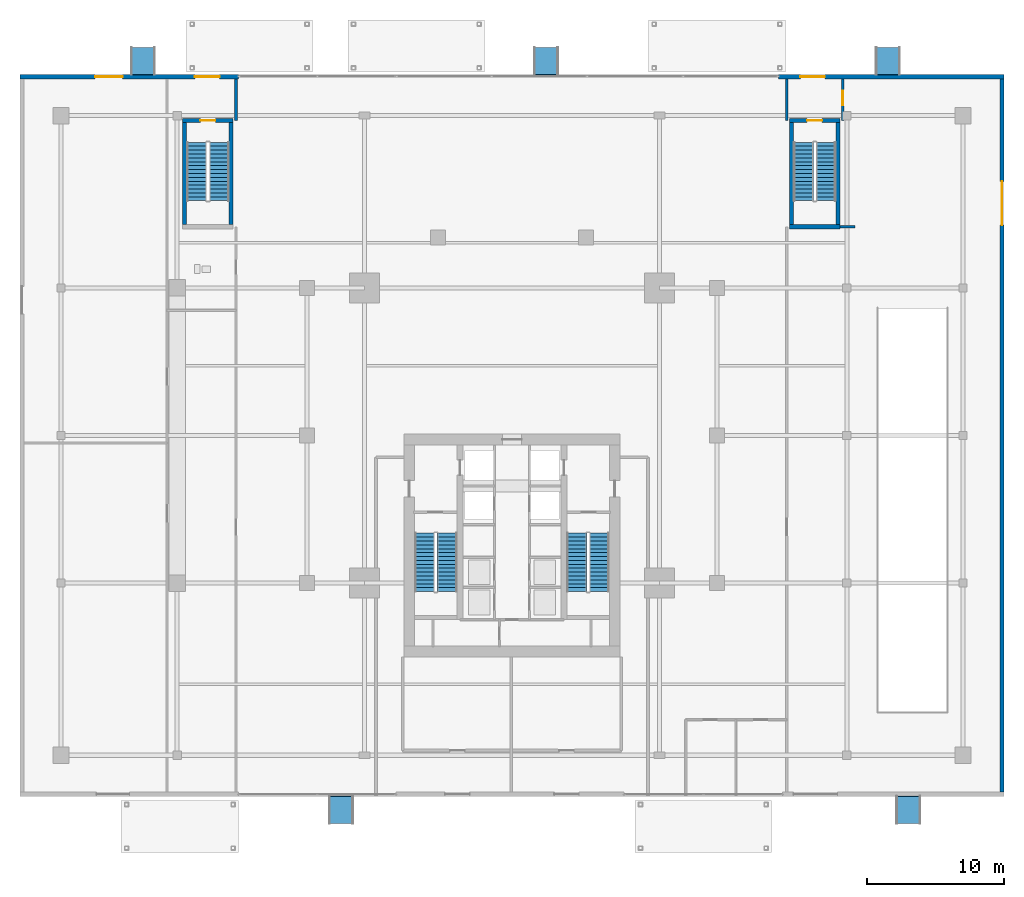
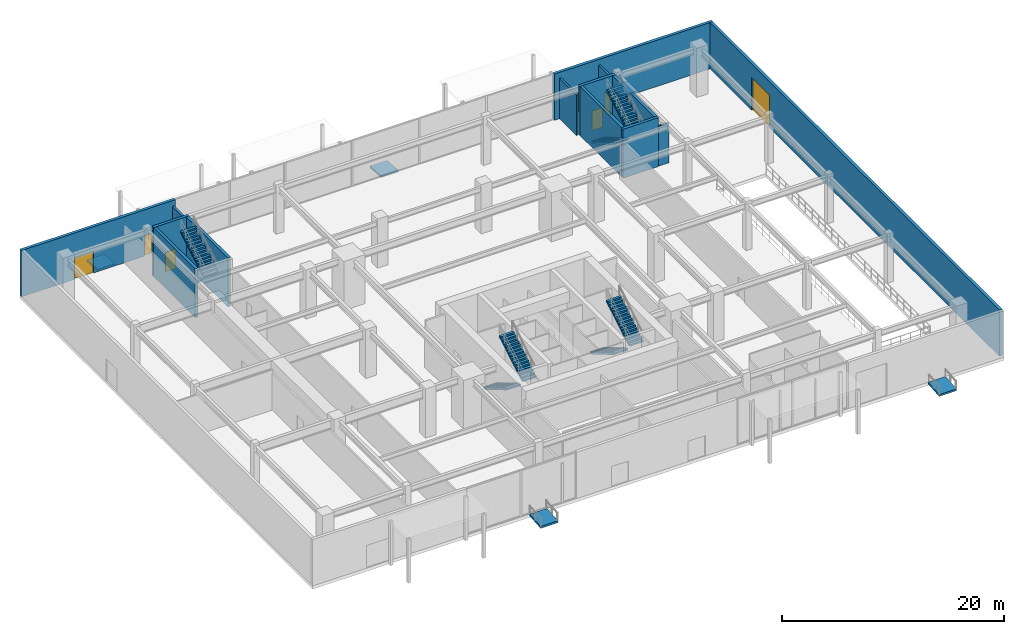
# One storey, part 21 of 28: 14 walls, 8 stair flights, 7 doors, 5 ramp flights, 7 openings, 9 elements without a shape of their own.
"""IFC4 building model written with IfcOpenShell, lengths in metres."""

from ifc_helpers import new_model, si_unit, direction, frame, frame_2d, origin, place, context, subcontext, project, spatial, polyline, rectangle, outline, extrude, material, layer, layer_set, type_object, element, fill, aggregate, save


model = new_model("IFC4")

# Units and contexts
model_context = context("Model", 3, precision=1e-05, world=origin(), true_north=direction((0.0, 1.0)))
body_context = subcontext(model_context, "Body", "Model", "MODEL_VIEW")
ifc_project = project(units=[si_unit("LENGTHUNIT", "METRE"), si_unit("AREAUNIT", "SQUARE_METRE"), si_unit("VOLUMEUNIT", "CUBIC_METRE"), si_unit("PLANEANGLEUNIT", "RADIAN"), si_unit("MASSUNIT", "GRAM", prefix="KILO")], contexts=[model_context])

# Site, building, storey
site_placement = place(None, origin())
site = spatial("IfcSite", under=ifc_project, at=site_placement, CompositionType="ELEMENT")
building_placement = place(site_placement, origin())
building = spatial("IfcBuilding", under=site, at=building_placement, Name="Krantzveldt Concourse Tower", CompositionType="ELEMENT")
storey_placement = place(building_placement, origin())
storey = spatial("IfcBuildingStorey", under=building, at=storey_placement, Name="L00", CompositionType="ELEMENT", Elevation=0.0)

# Wall, openings, doors
ifc_material_1 = material(Name="Concrete C40/50", Category="concrete")
ifc_layer_1 = layer(ifc_material_1, 0.300048828125, Name="Concrete C40/50", Category="concrete")
ifc_layer_set_1 = layer_set([ifc_layer_1], Name="Concrete C40/50 (WL-EXT-GRAN300)")
wall_type_1 = type_object("IfcWallType", Name="WL-EXT-GRAN300", PredefinedType="SOLIDWALL", material=ifc_layer_set_1)
wall_1_placement = place(storey_placement, frame((0.0, 52.949951171875, 0.0), z_axis=(0.0, 0.0, 1.0), x_axis=(1.0, 0.0, 0.0)))
wall_1 = element("IfcWall", 1, at=wall_1_placement, inside=storey, type_object=wall_type_1, Name="EW-L00-NW", PredefinedType="SOLIDWALL", context=body_context, shape_type="SweptSolid", body=[
    extrude(rectangle(XDim=16.0, YDim=0.300048828125, at=frame_2d((8.0, 0.0))), origin(), (0.0, 0.0, 1.0), 5.10009765625),
])
opening_1_placement = place(wall_1_placement, frame((12.800048828125, 0.0, 0.0)))
opening_1 = element("IfcOpeningElement", 2, at=opening_1_placement, cuts=wall_1, Name="Opening D-EX18", PredefinedType="OPENING", context=body_context, shape_type="SweptSolid", body=[
    extrude(rectangle(XDim=1.800048828125, YDim=2.25, at=frame_2d((0.89990234375, 1.125))), frame((0.0, 0.16015625, 0.0), z_axis=(0.0, -1.0, 0.0), x_axis=(1.0, 0.0, 0.0)), (0.0, 0.0, 1.0), 0.320068359375),
])
opening_2_placement = place(wall_1_placement, frame((5.5, 0.0, 0.0)))
opening_2 = element("IfcOpeningElement", 3, at=opening_2_placement, cuts=wall_1, Name="Opening D-CNC1", PredefinedType="OPENING", context=body_context, shape_type="SweptSolid", body=[
    extrude(rectangle(XDim=2.0, YDim=2.39990234375, at=frame_2d((1.0, 1.199951171875))), frame((0.0, 0.16015625, 0.0), z_axis=(0.0, -1.0, 0.0), x_axis=(1.0, 0.0, 0.0)), (0.0, 0.0, 1.0), 0.320068359375),
])
ifc_material_2 = material(Name="Anodised aluminium 6063-T6", Category="aluminium")
door_type_1 = type_object("IfcDoorType", Name="DR-CONC-2000", OperationType="DOUBLE_DOOR_SINGLE_SWING", PredefinedType="DOOR", material=ifc_material_2)
door_1_placement = place(opening_2_placement, origin())
door_1 = element("IfcDoor", 4, at=door_1_placement, inside=storey, type_object=door_type_1, Name="DR-L00-CAFN", OperationType="DOUBLE_DOOR_SINGLE_SWING", OverallHeight=2.39990234375, OverallWidth=2.0, PredefinedType="DOOR", context=body_context, shape_type="SweptSolid", body=[
    extrude(rectangle(XDim=2.0, YDim=2.39990234375, at=frame_2d((1.0, 1.199951171875))), frame((0.0, 0.02490234375, 0.0), z_axis=(0.0, -1.0, 0.0), x_axis=(1.0, 0.0, 0.0)), (0.0, 0.0, 1.0), 0.050048828125),
])
fill(opening_2, door_1)
door_type_2 = type_object("IfcDoorType", Name="DR-EXIT-1800", OperationType="DOUBLE_DOOR_SINGLE_SWING", PredefinedType="DOOR", material=ifc_material_2)
door_2_placement = place(opening_1_placement, origin())
door_2 = element("IfcDoor", 5, at=door_2_placement, inside=storey, type_object=door_type_2, Name="DR-L00-NWEX", OperationType="DOUBLE_DOOR_SINGLE_SWING", OverallHeight=2.25, OverallWidth=1.800048828125, PredefinedType="DOOR", context=body_context, shape_type="SweptSolid", body=[
    extrude(rectangle(XDim=1.800048828125, YDim=2.25, at=frame_2d((0.89990234375, 1.125))), frame((0.0, 0.02490234375, 0.0), z_axis=(0.0, -1.0, 0.0), x_axis=(1.0, 0.0, 0.0)), (0.0, 0.0, 1.0), 0.050048828125),
])
fill(opening_1, door_2)

# Wall, opening, door
wall_2_placement = place(storey_placement, frame((55.5, 52.949951171875, 0.0), z_axis=(0.0, 0.0, 1.0), x_axis=(1.0, 0.0, 0.0)))
wall_2 = element("IfcWall", 6, at=wall_2_placement, inside=storey, type_object=wall_type_1, Name="EW-L00-NE", PredefinedType="SOLIDWALL", context=body_context, shape_type="SweptSolid", body=[
    extrude(rectangle(XDim=16.5, YDim=0.300048828125, at=frame_2d((8.25, 0.0))), origin(), (0.0, 0.0, 1.0), 5.10009765625),
])
opening_3_placement = place(wall_2_placement, frame((1.60009765625, 0.0, 0.0)))
opening_3 = element("IfcOpeningElement", 7, at=opening_3_placement, cuts=wall_2, Name="Opening D-EX18", PredefinedType="OPENING", context=body_context, shape_type="SweptSolid", body=[
    extrude(rectangle(XDim=1.800048828125, YDim=2.25, at=frame_2d((0.89990234375, 1.125))), frame((0.0, 0.16015625, 0.0), z_axis=(0.0, -1.0, 0.0), x_axis=(1.0, 0.0, 0.0)), (0.0, 0.0, 1.0), 0.320068359375),
])
door_3_placement = place(opening_3_placement, origin())
door_3 = element("IfcDoor", 8, at=door_3_placement, inside=storey, type_object=door_type_2, Name="DR-L00-NEEX", OperationType="DOUBLE_DOOR_SINGLE_SWING", OverallHeight=2.25, OverallWidth=1.800048828125, PredefinedType="DOOR", context=body_context, shape_type="SweptSolid", body=[
    extrude(rectangle(XDim=1.800048828125, YDim=2.25, at=frame_2d((0.89990234375, 1.125))), frame((0.0, 0.02490234375, 0.0), z_axis=(0.0, -1.0, 0.0), x_axis=(1.0, 0.0, 0.0)), (0.0, 0.0, 1.0), 0.050048828125),
])
fill(opening_3, door_3)

wall_3_placement = place(storey_placement, frame((71.85009765625, 52.800048828125, 0.0), z_axis=(0.0, 0.0, 1.0), x_axis=(0.0, -1.0, 0.0)))
wall_3 = element("IfcWall", 9, at=wall_3_placement, inside=storey, type_object=wall_type_1, Name="EW-L00-E", PredefinedType="SOLIDWALL", context=body_context, shape_type="SweptSolid", body=[
    extrude(rectangle(XDim=52.199951171875, YDim=0.300048828125, at=frame_2d((26.10009765625, 0.0))), origin(), (0.0, 0.0, 1.0), 5.10009765625),
])
opening_4_placement = place(wall_3_placement, frame((7.5, 0.0, 0.0)))
opening_4 = element("IfcOpeningElement", 10, at=opening_4_placement, cuts=wall_3, Name="Opening D-LD32", PredefinedType="OPENING", context=body_context, shape_type="SweptSolid", body=[
    extrude(rectangle(XDim=3.199951171875, YDim=3.60009765625, at=frame_2d((1.60009765625, 1.800048828125))), frame((0.0, 0.16015625, 0.0), z_axis=(0.0, -1.0, 0.0), x_axis=(1.0, 0.0, 0.0)), (0.0, 0.0, 1.0), 0.320068359375),
])
door_type_3 = type_object("IfcDoorType", Name="DR-LOAD-3200", OperationType="ROLLINGUP", PredefinedType="GATE", material=ifc_material_2)
door_4_placement = place(opening_4_placement, origin())
door_4 = element("IfcDoor", 11, at=door_4_placement, inside=storey, type_object=door_type_3, Name="DR-L00-EXS3", OperationType="ROLLINGUP", OverallHeight=3.60009765625, OverallWidth=3.199951171875, PredefinedType="GATE", context=body_context, shape_type="SweptSolid", body=[
    extrude(rectangle(XDim=3.199951171875, YDim=3.60009765625, at=frame_2d((1.60009765625, 1.800048828125))), frame((0.0, 0.02490234375, 0.0), z_axis=(0.0, -1.0, 0.0), x_axis=(1.0, 0.0, 0.0)), (0.0, 0.0, 1.0), 0.050048828125),
])
fill(opening_4, door_4)

# Walls
ifc_material_3 = material(Name="Fire-rated gypsum plasterboard on steel stud", Category="steel")
ifc_layer_2 = layer(ifc_material_3, 0.199951171875, Name="Fire-rated gypsum plasterboard on steel stud", Category="steel")
ifc_layer_set_2 = layer_set([ifc_layer_2], Name="Fire-rated gypsum plasterboard on steel stud (WL-PART-FR200)")
wall_type_2 = type_object("IfcWallType", Name="WL-PART-FR200", PredefinedType="PARTITIONING", material=ifc_layer_set_2)
for number, where, z_axis, x_axis, name in (
    (12, (15.800048828125, 49.75, 0.0), (0.0, 0.0, 1.0), (0.0, 1.0, 0.0), "WP-L00-NWEXW"),
    (13, (56.10009765625, 49.75, 0.0), (0.0, 0.0, 1.0), (0.0, 1.0, 0.0), "WP-L00-NEEXW"),
):
    element("IfcWall", number, at=place(storey_placement, frame(where, z_axis=z_axis, x_axis=x_axis)), inside=storey, type_object=wall_type_2, Name=name, PredefinedType="PARTITIONING", context=body_context, shape_type="SweptSolid", body=[
        extrude(rectangle(XDim=3.044921875, YDim=0.199951171875, at=frame_2d((1.5224609375, 0.0))), origin(), (0.0, 0.0, 1.0), 4.4599609375),
    ])

# Wall, opening, door
wall_4_placement = place(storey_placement, frame((60.199951171875, 52.794921875, 0.0), z_axis=(0.0, 0.0, 1.0), x_axis=(0.0, -1.0, 0.0)))
wall_4 = element("IfcWall", 14, at=wall_4_placement, inside=storey, type_object=wall_type_2, Name="WP-L00-NEEXE", PredefinedType="PARTITIONING", context=body_context, shape_type="SweptSolid", body=[
    extrude(rectangle(XDim=3.044921875, YDim=0.199951171875, at=frame_2d((1.5224609375, 0.0))), origin(), (0.0, 0.0, 1.0), 4.4599609375),
])
opening_5_placement = place(wall_4_placement, frame((0.8701171875, 0.0, 0.0)))
opening_5 = element("IfcOpeningElement", 15, at=opening_5_placement, cuts=wall_4, Name="Opening D-FD105", PredefinedType="OPENING", context=body_context, shape_type="SweptSolid", body=[
    extrude(rectangle(XDim=1.050048828125, YDim=2.10009765625, at=frame_2d((0.52490234375, 1.050048828125))), frame((0.0, 0.10986328125, 0.0), z_axis=(0.0, -1.0, 0.0), x_axis=(1.0, 0.0, 0.0)), (0.0, 0.0, 1.0), 0.219970703125),
])
ifc_material_4 = material(Name="Galvanised steel", Category="steel")
door_type_4 = type_object("IfcDoorType", Name="DR-FD120-1050", OperationType="SINGLE_SWING_LEFT", PredefinedType="DOOR", material=ifc_material_4)
door_5_placement = place(opening_5_placement, origin())
door_5 = element("IfcDoor", 16, at=door_5_placement, inside=storey, type_object=door_type_4, Name="DR-L00-DRV1", OperationType="SINGLE_SWING_RIGHT", OverallHeight=2.10009765625, OverallWidth=1.050048828125, PredefinedType="DOOR", context=body_context, shape_type="SweptSolid", body=[
    extrude(rectangle(XDim=1.050048828125, YDim=2.10009765625, at=frame_2d((0.52490234375, 1.050048828125))), frame((0.0, 0.02490234375, 0.0), z_axis=(0.0, -1.0, 0.0), x_axis=(1.0, 0.0, 0.0)), (0.0, 0.0, 1.0), 0.050048828125),
])
fill(opening_5, door_5)

# Wall
wall_5_placement = place(storey_placement, frame((60.0, 41.969970703125, 0.0), z_axis=(0.0, 0.0, 1.0), x_axis=(1.0, 0.0, 0.0)))
element("IfcWall", 17, at=wall_5_placement, inside=storey, type_object=wall_type_2, Name="WP-L00-DRVN", PredefinedType="PARTITIONING", context=body_context, shape_type="SweptSolid", body=[
    extrude(rectangle(XDim=1.10009765625, YDim=0.199951171875, at=frame_2d((0.550048828125, 0.0))), origin(), (0.0, 0.0, 1.0), 4.409912109375),
])

# Wall, opening, door
ifc_material_5 = material(Name="Concrete C50/60", Category="concrete")
ifc_layer_3 = layer(ifc_material_5, 0.300048828125, Name="Concrete C50/60", Category="concrete")
ifc_layer_set_3 = layer_set([ifc_layer_3], Name="Concrete C50/60 (WL-SHEAR-300)")
wall_type_3 = type_object("IfcWallType", Name="WL-SHEAR-300", PredefinedType="SHEAR", material=ifc_layer_set_3)
wall_6_placement = place(storey_placement, frame((15.60009765625, 49.75, 0.0), z_axis=(0.0, 0.0, 1.0), x_axis=(-1.0, 0.0, 0.0)))
wall_6 = element("IfcWall", 18, at=wall_6_placement, inside=storey, type_object=wall_type_3, Name="CW-L00-ST3-N", PredefinedType="SHEAR", context=body_context, shape_type="SweptSolid", body=[
    extrude(rectangle(XDim=3.7001953125, YDim=0.300048828125, at=frame_2d((1.85009765625, 0.0))), origin(), (0.0, 0.0, 1.0), 5.39990234375),
])
opening_6_placement = place(wall_6_placement, frame((1.300048828125, 0.0, 0.0)))
opening_6 = element("IfcOpeningElement", 19, at=opening_6_placement, cuts=wall_6, Name="Opening D-FD110", PredefinedType="OPENING", context=body_context, shape_type="SweptSolid", body=[
    extrude(rectangle(XDim=1.10009765625, YDim=2.14990234375, at=frame_2d((0.550048828125, 1.074951171875))), frame((0.0, 0.16015625, 0.0), z_axis=(0.0, -1.0, 0.0), x_axis=(1.0, 0.0, 0.0)), (0.0, 0.0, 1.0), 0.320068359375),
])
door_type_5 = type_object("IfcDoorType", Name="DR-FD120-1100", OperationType="SINGLE_SWING_LEFT", PredefinedType="DOOR", material=ifc_material_4)
door_6_placement = place(opening_6_placement, origin())
door_6 = element("IfcDoor", 20, at=door_6_placement, inside=storey, type_object=door_type_5, Name="DR-L00-ST3", OperationType="SINGLE_SWING_LEFT", OverallHeight=2.14990234375, OverallWidth=1.10009765625, PredefinedType="DOOR", context=body_context, shape_type="SweptSolid", body=[
    extrude(rectangle(XDim=1.10009765625, YDim=2.14990234375, at=frame_2d((0.550048828125, 1.074951171875))), frame((0.0, 0.02490234375, 0.0), z_axis=(0.0, -1.0, 0.0), x_axis=(1.0, 0.0, 0.0)), (0.0, 0.0, 1.0), 0.050048828125),
])
fill(opening_6, door_6)

# Walls
for number, where, z_axis, x_axis, name in (
    (21, (12.050048828125, 42.1201171875, 0.0), (0.0, 0.0, 1.0), (0.0, 1.0, 0.0), "CW-L00-ST3-W"),
    (22, (15.449951171875, 42.1201171875, 0.0), (0.0, 0.0, 1.0), (0.0, 1.0, 0.0), "CW-L00-ST3-E"),
):
    element("IfcWall", number, at=place(storey_placement, frame(where, z_axis=z_axis, x_axis=x_axis)), inside=storey, type_object=wall_type_3, Name=name, PredefinedType="SHEAR", context=body_context, shape_type="SweptSolid", body=[
        extrude(rectangle(XDim=7.47998046875, YDim=0.300048828125, at=frame_2d((3.739990234375, 0.0))), origin(), (0.0, 0.0, 1.0), 5.39990234375),
    ])
wall_7_placement = place(storey_placement, frame((56.300048828125, 41.969970703125, 0.0), z_axis=(0.0, 0.0, 1.0), x_axis=(1.0, 0.0, 0.0)))
element("IfcWall", 23, at=wall_7_placement, inside=storey, type_object=wall_type_3, Name="CW-L00-ST4-S", PredefinedType="SHEAR", context=body_context, shape_type="SweptSolid", body=[
    extrude(rectangle(XDim=3.699951171875, YDim=0.300048828125, at=frame_2d((1.85009765625, 0.0))), origin(), (0.0, 0.0, 1.0), 5.39990234375),
])

# Wall, opening, door
wall_8_placement = place(storey_placement, frame((60.0, 49.75, 0.0), z_axis=(0.0, 0.0, 1.0), x_axis=(-1.0, 0.0, 0.0)))
wall_8 = element("IfcWall", 24, at=wall_8_placement, inside=storey, type_object=wall_type_3, Name="CW-L00-ST4-N", PredefinedType="SHEAR", context=body_context, shape_type="SweptSolid", body=[
    extrude(rectangle(XDim=3.699951171875, YDim=0.300048828125, at=frame_2d((1.85009765625, 0.0))), origin(), (0.0, 0.0, 1.0), 5.39990234375),
])
opening_7_placement = place(wall_8_placement, frame((1.300048828125, 0.0, 0.0)))
opening_7 = element("IfcOpeningElement", 25, at=opening_7_placement, cuts=wall_8, Name="Opening D-FD110", PredefinedType="OPENING", context=body_context, shape_type="SweptSolid", body=[
    extrude(rectangle(XDim=1.10009765625, YDim=2.14990234375, at=frame_2d((0.550048828125, 1.074951171875))), frame((0.0, 0.16015625, 0.0), z_axis=(0.0, -1.0, 0.0), x_axis=(1.0, 0.0, 0.0)), (0.0, 0.0, 1.0), 0.320068359375),
])
door_7_placement = place(opening_7_placement, origin())
door_7 = element("IfcDoor", 26, at=door_7_placement, inside=storey, type_object=door_type_5, Name="DR-L00-ST4", OperationType="SINGLE_SWING_LEFT", OverallHeight=2.14990234375, OverallWidth=1.10009765625, PredefinedType="DOOR", context=body_context, shape_type="SweptSolid", body=[
    extrude(rectangle(XDim=1.10009765625, YDim=2.14990234375, at=frame_2d((0.550048828125, 1.074951171875))), frame((0.0, 0.02490234375, 0.0), z_axis=(0.0, -1.0, 0.0), x_axis=(1.0, 0.0, 0.0)), (0.0, 0.0, 1.0), 0.050048828125),
])
fill(opening_7, door_7)

# Walls
for number, where, z_axis, x_axis, name in (
    (27, (56.449951171875, 42.1201171875, 0.0), (0.0, 0.0, 1.0), (0.0, 1.0, 0.0), "CW-L00-ST4-W"),
    (28, (59.85009765625, 42.1201171875, 0.0), (0.0, 0.0, 1.0), (0.0, 1.0, 0.0), "CW-L00-ST4-E"),
):
    element("IfcWall", number, at=place(storey_placement, frame(where, z_axis=z_axis, x_axis=x_axis)), inside=storey, type_object=wall_type_3, Name=name, PredefinedType="SHEAR", context=body_context, shape_type="SweptSolid", body=[
        extrude(rectangle(XDim=7.47998046875, YDim=0.300048828125, at=frame_2d((3.739990234375, 0.0))), origin(), (0.0, 0.0, 1.0), 5.39990234375),
    ])

# Stair, stair flights
ifc_material_6 = material(Name="Precast concrete C40/50", Category="concrete")
stair_type = type_object("IfcStairType", Name="STR-CORE-DOGLEG", PredefinedType="HALF_TURN_STAIR", material=ifc_material_6)
stair_1_placement = place(storey_placement, origin())
stair_1 = element("IfcStair", 29, at=stair_1_placement, inside=storey, type_object=stair_type, Name="L00 Protected Escape Stair ST-1", PredefinedType="HALF_TURN_STAIR")
stair_flight_type = type_object("IfcStairFlightType", Name="STF-CORE-1450", PredefinedType="STRAIGHT", material=ifc_material_6)
stair_flight_1_placement = place(storey_placement, frame((29.60498046875, 19.550048828125, 0.0), z_axis=(0.0, 0.0, 1.0), x_axis=(0.0, -1.0, 0.0)))
stair_flight_1 = element("IfcStairFlight", 30, at=stair_flight_1_placement, type_object=stair_flight_type, Name="ST-1 flight 1", NumberOfRisers=16, NumberOfTreads=15, PredefinedType="STRAIGHT", RiserHeight=0.16875, TreadLength=0.285, context=body_context, shape_type="SweptSolid", body=[
    extrude(outline(polyline([(0.0, 0.0), (0.0, 0.168701171875), (0.284912109375, 0.168701171875), (0.284912109375, 0.33740234375), (0.570068359375, 0.33740234375), (0.570068359375, 0.50634765625), (0.85498046875, 0.50634765625), (0.85498046875, 0.675048828125), (1.139892578125, 0.675048828125), (1.139892578125, 0.84375), (1.425048828125, 0.84375), (1.425048828125, 1.012451171875), (1.7099609375, 1.012451171875), (1.7099609375, 1.18115234375), (1.9951171875, 1.18115234375), (1.9951171875, 1.35009765625), (2.280029296875, 1.35009765625), (2.280029296875, 1.518798828125), (2.56494140625, 1.518798828125), (2.56494140625, 1.6875), (2.85009765625, 1.6875), (2.85009765625, 1.856201171875), (3.135009765625, 1.856201171875), (3.135009765625, 2.02490234375), (3.419921875, 2.02490234375), (3.419921875, 2.19384765625), (3.705078125, 2.19384765625), (3.705078125, 2.362548828125), (3.989990234375, 2.362548828125), (3.989990234375, 2.53125), (4.27490234375, 2.53125), (4.27490234375, 2.699951171875), (4.27490234375, 2.35693359375), (0.294189453125, 0.0), (0.0, 0.0)])), frame((0.0, 0.72509765625, 0.0), z_axis=(0.0, -1.0, 0.0), x_axis=(1.0, 0.0, 0.0)), (0.0, 0.0, 1.0), 1.449951171875),
])
stair_flight_2_placement = place(storey_placement, frame((31.2548828125, 15.27490234375, 2.699951171875), z_axis=(0.0, 0.0, 1.0), x_axis=(0.0, 1.0, 0.0)))
stair_flight_2 = element("IfcStairFlight", 31, at=stair_flight_2_placement, type_object=stair_flight_type, Name="ST-1 flight 2", NumberOfRisers=16, NumberOfTreads=15, PredefinedType="STRAIGHT", RiserHeight=0.16875, TreadLength=0.285, context=body_context, shape_type="SweptSolid", body=[
    extrude(outline(polyline([(0.0, 0.0), (0.0, 0.168701171875), (0.284912109375, 0.168701171875), (0.284912109375, 0.33740234375), (0.570068359375, 0.33740234375), (0.570068359375, 0.50634765625), (0.85498046875, 0.50634765625), (0.85498046875, 0.675048828125), (1.139892578125, 0.675048828125), (1.139892578125, 0.84375), (1.425048828125, 0.84375), (1.425048828125, 1.012451171875), (1.7099609375, 1.012451171875), (1.7099609375, 1.18115234375), (1.9951171875, 1.18115234375), (1.9951171875, 1.35009765625), (2.280029296875, 1.35009765625), (2.280029296875, 1.518798828125), (2.56494140625, 1.518798828125), (2.56494140625, 1.6875), (2.85009765625, 1.6875), (2.85009765625, 1.856201171875), (3.135009765625, 1.856201171875), (3.135009765625, 2.02490234375), (3.419921875, 2.02490234375), (3.419921875, 2.19384765625), (3.705078125, 2.19384765625), (3.705078125, 2.362548828125), (3.989990234375, 2.362548828125), (3.989990234375, 2.53125), (4.27490234375, 2.53125), (4.27490234375, 2.699951171875), (4.27490234375, 2.35693359375), (0.294189453125, 0.0), (0.0, 0.0)])), frame((0.0, 0.72509765625, 0.0), z_axis=(0.0, -1.0, 0.0), x_axis=(1.0, 0.0, 0.0)), (0.0, 0.0, 1.0), 1.449951171875),
])
aggregate(stair_1, [stair_flight_1, stair_flight_2])

stair_2_placement = place(storey_placement, origin())
stair_2 = element("IfcStair", 32, at=stair_2_placement, inside=storey, type_object=stair_type, Name="L00 Protected Escape Stair ST-2", PredefinedType="HALF_TURN_STAIR")
stair_flight_3_placement = place(storey_placement, frame((40.7451171875, 19.550048828125, 0.0), z_axis=(0.0, 0.0, 1.0), x_axis=(0.0, -1.0, 0.0)))
stair_flight_3 = element("IfcStairFlight", 33, at=stair_flight_3_placement, type_object=stair_flight_type, Name="ST-2 flight 1", NumberOfRisers=16, NumberOfTreads=15, PredefinedType="STRAIGHT", RiserHeight=0.16875, TreadLength=0.285, context=body_context, shape_type="SweptSolid", body=[
    extrude(outline(polyline([(0.0, 0.0), (0.0, 0.168701171875), (0.284912109375, 0.168701171875), (0.284912109375, 0.33740234375), (0.570068359375, 0.33740234375), (0.570068359375, 0.50634765625), (0.85498046875, 0.50634765625), (0.85498046875, 0.675048828125), (1.139892578125, 0.675048828125), (1.139892578125, 0.84375), (1.425048828125, 0.84375), (1.425048828125, 1.012451171875), (1.7099609375, 1.012451171875), (1.7099609375, 1.18115234375), (1.9951171875, 1.18115234375), (1.9951171875, 1.35009765625), (2.280029296875, 1.35009765625), (2.280029296875, 1.518798828125), (2.56494140625, 1.518798828125), (2.56494140625, 1.6875), (2.85009765625, 1.6875), (2.85009765625, 1.856201171875), (3.135009765625, 1.856201171875), (3.135009765625, 2.02490234375), (3.419921875, 2.02490234375), (3.419921875, 2.19384765625), (3.705078125, 2.19384765625), (3.705078125, 2.362548828125), (3.989990234375, 2.362548828125), (3.989990234375, 2.53125), (4.27490234375, 2.53125), (4.27490234375, 2.699951171875), (4.27490234375, 2.35693359375), (0.294189453125, 0.0), (0.0, 0.0)])), frame((0.0, 0.72509765625, 0.0), z_axis=(0.0, -1.0, 0.0), x_axis=(1.0, 0.0, 0.0)), (0.0, 0.0, 1.0), 1.449951171875),
])
stair_flight_4_placement = place(storey_placement, frame((42.39501953125, 15.27490234375, 2.699951171875), z_axis=(0.0, 0.0, 1.0), x_axis=(0.0, 1.0, 0.0)))
stair_flight_4 = element("IfcStairFlight", 34, at=stair_flight_4_placement, type_object=stair_flight_type, Name="ST-2 flight 2", NumberOfRisers=16, NumberOfTreads=15, PredefinedType="STRAIGHT", RiserHeight=0.16875, TreadLength=0.285, context=body_context, shape_type="SweptSolid", body=[
    extrude(outline(polyline([(0.0, 0.0), (0.0, 0.168701171875), (0.284912109375, 0.168701171875), (0.284912109375, 0.33740234375), (0.570068359375, 0.33740234375), (0.570068359375, 0.50634765625), (0.85498046875, 0.50634765625), (0.85498046875, 0.675048828125), (1.139892578125, 0.675048828125), (1.139892578125, 0.84375), (1.425048828125, 0.84375), (1.425048828125, 1.012451171875), (1.7099609375, 1.012451171875), (1.7099609375, 1.18115234375), (1.9951171875, 1.18115234375), (1.9951171875, 1.35009765625), (2.280029296875, 1.35009765625), (2.280029296875, 1.518798828125), (2.56494140625, 1.518798828125), (2.56494140625, 1.6875), (2.85009765625, 1.6875), (2.85009765625, 1.856201171875), (3.135009765625, 1.856201171875), (3.135009765625, 2.02490234375), (3.419921875, 2.02490234375), (3.419921875, 2.19384765625), (3.705078125, 2.19384765625), (3.705078125, 2.362548828125), (3.989990234375, 2.362548828125), (3.989990234375, 2.53125), (4.27490234375, 2.53125), (4.27490234375, 2.699951171875), (4.27490234375, 2.35693359375), (0.294189453125, 0.0), (0.0, 0.0)])), frame((0.0, 0.72509765625, 0.0), z_axis=(0.0, -1.0, 0.0), x_axis=(1.0, 0.0, 0.0)), (0.0, 0.0, 1.0), 1.449951171875),
])
aggregate(stair_2, [stair_flight_3, stair_flight_4])

stair_3_placement = place(storey_placement, origin())
stair_3 = element("IfcStair", 35, at=stair_3_placement, inside=storey, type_object=stair_type, Name="L00 Podium Escape Stair ST-3", PredefinedType="HALF_TURN_STAIR")
stair_flight_5_placement = place(storey_placement, frame((12.925048828125, 48.14990234375, 0.0), z_axis=(0.0, 0.0, 1.0), x_axis=(0.0, -1.0, 0.0)))
stair_flight_5 = element("IfcStairFlight", 36, at=stair_flight_5_placement, type_object=stair_flight_type, Name="ST-3 flight 1", NumberOfRisers=16, NumberOfTreads=15, PredefinedType="STRAIGHT", RiserHeight=0.16875, TreadLength=0.285, context=body_context, shape_type="SweptSolid", body=[
    extrude(outline(polyline([(0.0, 0.0), (0.0, 0.168701171875), (0.284912109375, 0.168701171875), (0.284912109375, 0.33740234375), (0.570068359375, 0.33740234375), (0.570068359375, 0.50634765625), (0.85498046875, 0.50634765625), (0.85498046875, 0.675048828125), (1.139892578125, 0.675048828125), (1.139892578125, 0.84375), (1.425048828125, 0.84375), (1.425048828125, 1.012451171875), (1.7099609375, 1.012451171875), (1.7099609375, 1.18115234375), (1.9951171875, 1.18115234375), (1.9951171875, 1.35009765625), (2.280029296875, 1.35009765625), (2.280029296875, 1.518798828125), (2.56494140625, 1.518798828125), (2.56494140625, 1.6875), (2.85009765625, 1.6875), (2.85009765625, 1.856201171875), (3.135009765625, 1.856201171875), (3.135009765625, 2.02490234375), (3.419921875, 2.02490234375), (3.419921875, 2.19384765625), (3.705078125, 2.19384765625), (3.705078125, 2.362548828125), (3.989990234375, 2.362548828125), (3.989990234375, 2.53125), (4.27490234375, 2.53125), (4.27490234375, 2.699951171875), (4.27490234375, 2.35693359375), (0.294189453125, 0.0), (0.0, 0.0)])), frame((0.0, 0.72509765625, 0.0), z_axis=(0.0, -1.0, 0.0), x_axis=(1.0, 0.0, 0.0)), (0.0, 0.0, 1.0), 1.449951171875),
])
stair_flight_6_placement = place(storey_placement, frame((14.574951171875, 43.875, 2.699951171875), z_axis=(0.0, 0.0, 1.0), x_axis=(0.0, 1.0, 0.0)))
stair_flight_6 = element("IfcStairFlight", 37, at=stair_flight_6_placement, type_object=stair_flight_type, Name="ST-3 flight 2", NumberOfRisers=16, NumberOfTreads=15, PredefinedType="STRAIGHT", RiserHeight=0.16875, TreadLength=0.285, context=body_context, shape_type="SweptSolid", body=[
    extrude(outline(polyline([(0.0, 0.0), (0.0, 0.168701171875), (0.284912109375, 0.168701171875), (0.284912109375, 0.33740234375), (0.570068359375, 0.33740234375), (0.570068359375, 0.50634765625), (0.85498046875, 0.50634765625), (0.85498046875, 0.675048828125), (1.139892578125, 0.675048828125), (1.139892578125, 0.84375), (1.425048828125, 0.84375), (1.425048828125, 1.012451171875), (1.7099609375, 1.012451171875), (1.7099609375, 1.18115234375), (1.9951171875, 1.18115234375), (1.9951171875, 1.35009765625), (2.280029296875, 1.35009765625), (2.280029296875, 1.518798828125), (2.56494140625, 1.518798828125), (2.56494140625, 1.6875), (2.85009765625, 1.6875), (2.85009765625, 1.856201171875), (3.135009765625, 1.856201171875), (3.135009765625, 2.02490234375), (3.419921875, 2.02490234375), (3.419921875, 2.19384765625), (3.705078125, 2.19384765625), (3.705078125, 2.362548828125), (3.989990234375, 2.362548828125), (3.989990234375, 2.53125), (4.27490234375, 2.53125), (4.27490234375, 2.699951171875), (4.27490234375, 2.35693359375), (0.294189453125, 0.0), (0.0, 0.0)])), frame((0.0, 0.72509765625, 0.0), z_axis=(0.0, -1.0, 0.0), x_axis=(1.0, 0.0, 0.0)), (0.0, 0.0, 1.0), 1.449951171875),
])
aggregate(stair_3, [stair_flight_5, stair_flight_6])

stair_4_placement = place(storey_placement, origin())
stair_4 = element("IfcStair", 38, at=stair_4_placement, inside=storey, type_object=stair_type, Name="L00 Podium Escape Stair ST-4", PredefinedType="HALF_TURN_STAIR")
stair_flight_7_placement = place(storey_placement, frame((57.324951171875, 48.14990234375, 0.0), z_axis=(0.0, 0.0, 1.0), x_axis=(0.0, -1.0, 0.0)))
stair_flight_7 = element("IfcStairFlight", 39, at=stair_flight_7_placement, type_object=stair_flight_type, Name="ST-4 flight 1", NumberOfRisers=16, NumberOfTreads=15, PredefinedType="STRAIGHT", RiserHeight=0.16875, TreadLength=0.285, context=body_context, shape_type="SweptSolid", body=[
    extrude(outline(polyline([(0.0, 0.0), (0.0, 0.168701171875), (0.284912109375, 0.168701171875), (0.284912109375, 0.33740234375), (0.570068359375, 0.33740234375), (0.570068359375, 0.50634765625), (0.85498046875, 0.50634765625), (0.85498046875, 0.675048828125), (1.139892578125, 0.675048828125), (1.139892578125, 0.84375), (1.425048828125, 0.84375), (1.425048828125, 1.012451171875), (1.7099609375, 1.012451171875), (1.7099609375, 1.18115234375), (1.9951171875, 1.18115234375), (1.9951171875, 1.35009765625), (2.280029296875, 1.35009765625), (2.280029296875, 1.518798828125), (2.56494140625, 1.518798828125), (2.56494140625, 1.6875), (2.85009765625, 1.6875), (2.85009765625, 1.856201171875), (3.135009765625, 1.856201171875), (3.135009765625, 2.02490234375), (3.419921875, 2.02490234375), (3.419921875, 2.19384765625), (3.705078125, 2.19384765625), (3.705078125, 2.362548828125), (3.989990234375, 2.362548828125), (3.989990234375, 2.53125), (4.27490234375, 2.53125), (4.27490234375, 2.699951171875), (4.27490234375, 2.35693359375), (0.294189453125, 0.0), (0.0, 0.0)])), frame((0.0, 0.72509765625, 0.0), z_axis=(0.0, -1.0, 0.0), x_axis=(1.0, 0.0, 0.0)), (0.0, 0.0, 1.0), 1.449951171875),
])
stair_flight_8_placement = place(storey_placement, frame((58.97509765625, 43.875, 2.699951171875), z_axis=(0.0, 0.0, 1.0), x_axis=(0.0, 1.0, 0.0)))
stair_flight_8 = element("IfcStairFlight", 40, at=stair_flight_8_placement, type_object=stair_flight_type, Name="ST-4 flight 2", NumberOfRisers=16, NumberOfTreads=15, PredefinedType="STRAIGHT", RiserHeight=0.16875, TreadLength=0.285, context=body_context, shape_type="SweptSolid", body=[
    extrude(outline(polyline([(0.0, 0.0), (0.0, 0.168701171875), (0.284912109375, 0.168701171875), (0.284912109375, 0.33740234375), (0.570068359375, 0.33740234375), (0.570068359375, 0.50634765625), (0.85498046875, 0.50634765625), (0.85498046875, 0.675048828125), (1.139892578125, 0.675048828125), (1.139892578125, 0.84375), (1.425048828125, 0.84375), (1.425048828125, 1.012451171875), (1.7099609375, 1.012451171875), (1.7099609375, 1.18115234375), (1.9951171875, 1.18115234375), (1.9951171875, 1.35009765625), (2.280029296875, 1.35009765625), (2.280029296875, 1.518798828125), (2.56494140625, 1.518798828125), (2.56494140625, 1.6875), (2.85009765625, 1.6875), (2.85009765625, 1.856201171875), (3.135009765625, 1.856201171875), (3.135009765625, 2.02490234375), (3.419921875, 2.02490234375), (3.419921875, 2.19384765625), (3.705078125, 2.19384765625), (3.705078125, 2.362548828125), (3.989990234375, 2.362548828125), (3.989990234375, 2.53125), (4.27490234375, 2.53125), (4.27490234375, 2.699951171875), (4.27490234375, 2.35693359375), (0.294189453125, 0.0), (0.0, 0.0)])), frame((0.0, 0.72509765625, 0.0), z_axis=(0.0, -1.0, 0.0), x_axis=(1.0, 0.0, 0.0)), (0.0, 0.0, 1.0), 1.449951171875),
])
aggregate(stair_4, [stair_flight_7, stair_flight_8])

# Ramp, ramp flight
ramp_type = type_object("IfcRampType", Name="RMP-ACC-1800", PredefinedType="STRAIGHT_RUN_RAMP", material=ifc_material_6)
ramp_1_placement = place(storey_placement, origin())
ramp_1 = element("IfcRamp", 41, at=ramp_1_placement, inside=storey, type_object=ramp_type, Name="RMP-L00-ACC01", PredefinedType="STRAIGHT_RUN_RAMP")
ifc_layer_4 = layer(ifc_material_6, 0.219970703125, Name="Precast concrete C40/50", Category="concrete")
ifc_layer_set_4 = layer_set([ifc_layer_4], Name="Precast concrete C40/50 (RMF-ACC-1800)")
ramp_flight_type = type_object("IfcRampFlightType", Name="RMF-ACC-1800", PredefinedType="STRAIGHT", material=ifc_layer_set_4)
ramp_flight_1_placement = place(storey_placement, frame((8.10009765625, 53.10009765625, 0.0), z_axis=(0.0, 0.074741528962, 0.997202940152), x_axis=(1.0, 0.0, 0.0)))
ramp_flight_1 = element("IfcRampFlight", 42, at=ramp_flight_1_placement, type_object=ramp_flight_type, Name="RMF-L00-ACC01", PredefinedType="STRAIGHT", context=body_context, shape_type="SweptSolid", body=[
    extrude(outline(polyline([(0.0, 0.0), (1.7998046875, 0.0), (1.7998046875, 2.0056098106714932), (0.0, 2.0056098106714932), (0.0, 0.0)])), origin(), (0.0, 0.0, -1.0), 0.219970703125),
])
aggregate(ramp_1, [ramp_flight_1])

ramp_2_placement = place(storey_placement, origin())
ramp_2 = element("IfcRamp", 43, at=ramp_2_placement, inside=storey, type_object=ramp_type, Name="RMP-L00-ACC02", PredefinedType="STRAIGHT_RUN_RAMP")
ramp_flight_2_placement = place(storey_placement, frame((37.60009765625, 53.10009765625, 0.0), z_axis=(0.0, 0.074741528962, 0.997202940152), x_axis=(1.0, 0.0, 0.0)))
ramp_flight_2 = element("IfcRampFlight", 44, at=ramp_flight_2_placement, type_object=ramp_flight_type, Name="RMF-L00-ACC02", PredefinedType="STRAIGHT", context=body_context, shape_type="SweptSolid", body=[
    extrude(outline(polyline([(0.0, 0.0), (1.7998046875, 0.0), (1.7998046875, 2.0056098106714932), (0.0, 2.0056098106714932), (0.0, 0.0)])), origin(), (0.0, 0.0, -1.0), 0.219970703125),
])
aggregate(ramp_2, [ramp_flight_2])

ramp_3_placement = place(storey_placement, origin())
ramp_3 = element("IfcRamp", 45, at=ramp_3_placement, inside=storey, type_object=ramp_type, Name="RMP-L00-ACC03", PredefinedType="STRAIGHT_RUN_RAMP")
ramp_flight_3_placement = place(storey_placement, frame((62.60009765625, 53.10009765625, 0.0), z_axis=(0.0, 0.074741528962, 0.997202940152), x_axis=(1.0, 0.0, 0.0)))
ramp_flight_3 = element("IfcRampFlight", 46, at=ramp_flight_3_placement, type_object=ramp_flight_type, Name="RMF-L00-ACC03", PredefinedType="STRAIGHT", context=body_context, shape_type="SweptSolid", body=[
    extrude(outline(polyline([(0.0, 0.0), (1.7998046875, 0.0), (1.7998046875, 2.0056098106714932), (0.0, 2.0056098106714932), (0.0, 0.0)])), origin(), (0.0, 0.0, -1.0), 0.219970703125),
])
aggregate(ramp_3, [ramp_flight_3])

ramp_4_placement = place(storey_placement, origin())
ramp_4 = element("IfcRamp", 47, at=ramp_4_placement, inside=storey, type_object=ramp_type, Name="RMP-L00-ACC04", PredefinedType="STRAIGHT_RUN_RAMP")
ramp_flight_4_placement = place(storey_placement, frame((22.60009765625, -1.699951171875, -0.14990234375), z_axis=(0.0, -0.074741528962, 0.997202940152), x_axis=(1.0, 0.0, 0.0)))
ramp_flight_4 = element("IfcRampFlight", 48, at=ramp_flight_4_placement, type_object=ramp_flight_type, Name="RMF-L00-ACC04", PredefinedType="STRAIGHT", context=body_context, shape_type="SweptSolid", body=[
    extrude(outline(polyline([(0.0, 0.0), (1.7998046875, 0.0), (1.7998046875, 2.0056098106714932), (0.0, 2.0056098106714932), (0.0, 0.0)])), origin(), (0.0, 0.0, -1.0), 0.219970703125),
])
aggregate(ramp_4, [ramp_flight_4])

ramp_5_placement = place(storey_placement, origin())
ramp_5 = element("IfcRamp", 49, at=ramp_5_placement, inside=storey, type_object=ramp_type, Name="RMP-L00-ACC05", PredefinedType="STRAIGHT_RUN_RAMP")
ramp_flight_5_placement = place(storey_placement, frame((64.10009765625, -1.699951171875, -0.14990234375), z_axis=(0.0, -0.074741528962, 0.997202940152), x_axis=(1.0, 0.0, 0.0)))
ramp_flight_5 = element("IfcRampFlight", 50, at=ramp_flight_5_placement, type_object=ramp_flight_type, Name="RMF-L00-ACC05", PredefinedType="STRAIGHT", context=body_context, shape_type="SweptSolid", body=[
    extrude(outline(polyline([(0.0, 0.0), (1.7998046875, 0.0), (1.7998046875, 2.0056098106714932), (0.0, 2.0056098106714932), (0.0, 0.0)])), origin(), (0.0, 0.0, -1.0), 0.219970703125),
])
aggregate(ramp_5, [ramp_flight_5])

save(model, "model.ifc")
